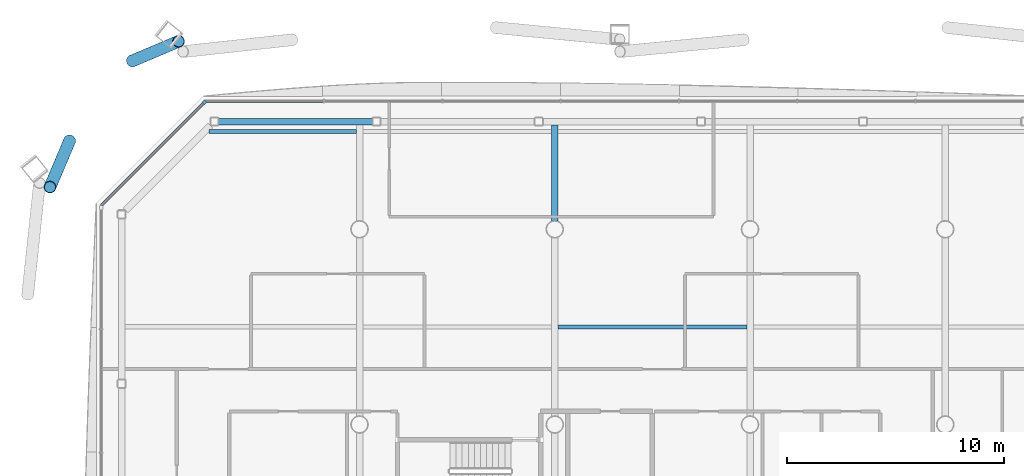
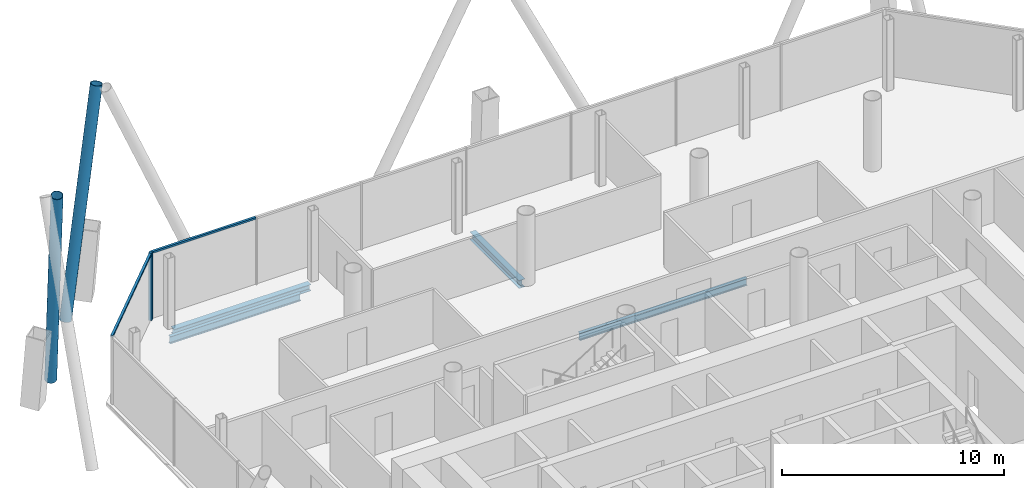
# One storey, part 10 of 22: 5 members, 4 beams, 2 elements without a shape of their own.
"""IFC4 building model written with IfcOpenShell, lengths in metres."""

from ifc_helpers import new_model, si_unit, direction, frame, origin, origin_2d, place, context, subcontext, project, spatial, rectangle, hollow_circle, i_section, extrude, material, material_profile, profile_set, type_object, element, aggregate, save


model = new_model("IFC4")

# Units and contexts
model_context = context("Model", 3, precision=1e-05, world=origin(), true_north=direction((0.0, 1.0)))
body_context = subcontext(model_context, "Body", "Model", "MODEL_VIEW")
ifc_project = project(units=[si_unit("LENGTHUNIT", "METRE"), si_unit("AREAUNIT", "SQUARE_METRE"), si_unit("VOLUMEUNIT", "CUBIC_METRE"), si_unit("PLANEANGLEUNIT", "RADIAN"), si_unit("MASSUNIT", "GRAM", prefix="KILO")], contexts=[model_context])

# Site, building, storey
site_placement = place(None, origin())
site = spatial("IfcSite", under=ifc_project, at=site_placement, CompositionType="ELEMENT")
building_placement = place(site_placement, origin())
building = spatial("IfcBuilding", under=site, at=building_placement, Name="Tskaro Facet Tower", CompositionType="ELEMENT")
storey_placement = place(building_placement, frame((0.0, 0.0, 97.199951171875)))
storey = spatial("IfcBuildingStorey", under=building, at=storey_placement, Name="L23", CompositionType="ELEMENT", Elevation=97.199951171875)

# Members
ifc_material_1 = material(Name="Steel S355J2H", Category="steel")
ifc_material_profile_1 = material_profile(ifc_material_1, hollow_circle(Radius=0.279541015625, WallThickness=0.02490234375, at=origin_2d()), Name="CHS 559x25")
ifc_profile_set_1 = profile_set([ifc_material_profile_1], Name="Steel S355J2H")
member_type_1 = type_object("IfcMemberType", Name="CHS 559x25 brace", PredefinedType="BRACE", material=ifc_profile_set_1)
for number, where, z_axis, x_axis, name in (
    (1, (-22.367431640625, 22.07275390625, 0.0), (-0.075619078607, -0.178546183977, 0.98102141421), (0.920818558847, -0.389991258471, 0.0), "CHS 559x25 XB09A/2"),
    (2, (-19.468017578125, 25.7626953125, 0.0), (0.178546183977, 0.075619078607, 0.98102141421), (-0.389991258471, 0.920818558847, 0.0), "CHS 559x25 XB09B/2"),
):
    element("IfcMember", number, at=place(storey_placement, frame(where, z_axis=z_axis, x_axis=x_axis)), inside=storey, type_object=member_type_1, Name=name, PredefinedType="BRACE", context=body_context, shape_type="SweptSolid", body=[
        extrude(hollow_circle(Radius=0.279541015625, WallThickness=0.02490234375, at=origin_2d()), origin(), (0.0, 0.0, 1.0), 11.92626953125),
    ])

# Curtain wall, member
ifc_material_2 = material(Name="Bronze anodised aluminium 6063-T6", Category="aluminium")
curtain_wall_type = type_object("IfcCurtainWallType", Name="Bronze office curtain wall (FW1)", PredefinedType="NOTDEFINED", material=ifc_material_2)
curtain_wall_1_placement = place(storey_placement, origin())
curtain_wall_1 = element("IfcCurtainWall", 3, at=curtain_wall_1_placement, inside=storey, type_object=curtain_wall_type, Name="FW1 north-west facet L23", PredefinedType="NOTDEFINED")
ifc_material_profile_2 = material_profile(ifc_material_2, rectangle(XDim=0.159912109375, YDim=0.159912109375, at=origin_2d()), Name="Corner post 160x160")
ifc_profile_set_2 = profile_set([ifc_material_profile_2], Name="Bronze anodised aluminium 6063-T6")
member_type_2 = type_object("IfcMemberType", Name="FW1 bronze corner post 160x160", PredefinedType="MULLION", material=ifc_profile_set_2)
member_1_placement = place(storey_placement, frame((-16.1396484375, 23.8583984375, 0.0), z_axis=(0.0, 0.0, 1.0), x_axis=(-0.707106781187, -0.707106781187, 0.0)))
member_1 = element("IfcMember", 4, at=member_1_placement, type_object=member_type_2, Name="FW1 north-west corner post", PredefinedType="MULLION", context=body_context, shape_type="SweptSolid", body=[
    extrude(rectangle(XDim=0.159912109375, YDim=0.159912109375, at=origin_2d()), origin(), (0.0, 0.0, 1.0), 3.699951171875),
])

curtain_wall_2_placement = place(storey_placement, origin())
curtain_wall_2 = element("IfcCurtainWall", 5, at=curtain_wall_2_placement, inside=storey, type_object=curtain_wall_type, Name="FW1 north facet L23", PredefinedType="NOTDEFINED")
ifc_material_profile_3 = material_profile(ifc_material_2, rectangle(XDim=0.1201171875, YDim=0.10009765625, at=origin_2d()), Name="Transom 120x100")
ifc_profile_set_3 = profile_set([ifc_material_profile_3], Name="Bronze anodised aluminium 6063-T6")
member_type_3 = type_object("IfcMemberType", Name="FW1 bronze transom 120x100", PredefinedType="USERDEFINED", material=ifc_profile_set_3)
member_2_placement = place(storey_placement, frame((-10.66064453125, 23.9150390625, 3.650146484375), z_axis=(-1.0, 0.0, 0.0), x_axis=(0.0, -1.0, 0.0)))
member_2 = element("IfcMember", 6, at=member_2_placement, type_object=member_type_3, Name="FW1 north transom 7.1", ObjectType="TRANSOM", PredefinedType="USERDEFINED", context=body_context, shape_type="SweptSolid", body=[
    extrude(rectangle(XDim=0.1201171875, YDim=0.10009765625, at=origin_2d()), origin(), (0.0, 0.0, 1.0), 5.42236328125),
])
aggregate(curtain_wall_2, [member_2])

# Member
member_3_placement = place(storey_placement, frame((-16.196044921875, 23.8017578125, 3.650146484375), z_axis=(-0.707125072767, -0.707088489133, 0.0), x_axis=(0.707088489133, -0.707125072767, 0.0)))
member_3 = element("IfcMember", 7, at=member_3_placement, type_object=member_type_3, Name="FW1 north-west transom 1.1", ObjectType="TRANSOM", PredefinedType="USERDEFINED", context=body_context, shape_type="SweptSolid", body=[
    extrude(rectangle(XDim=0.1201171875, YDim=0.10009765625, at=origin_2d()), origin(), (0.0, 0.0, 1.0), 6.673583984375),
])

aggregate(curtain_wall_1, [member_1, member_3])

# Beams
ifc_material_3 = material(Name="Steel S355J2", Category="steel")
ifc_material_profile_4 = material_profile(ifc_material_3, i_section(OverallWidth=0.300048828125, OverallDepth=0.360107421875, WebThickness=0.012451171875, FlangeThickness=0.0224609375, FilletRadius=0.027099609375, at=origin_2d()), Name="HE 360 B")
ifc_profile_set_4 = profile_set([ifc_material_profile_4], Name="Steel S355J2")
beam_type_1 = type_object("IfcBeamType", Name="HE 360 B ring beam", PredefinedType="BEAM", material=ifc_profile_set_4)
beam_1_placement = place(storey_placement, frame((-8.39404296875, 22.965087890625, -0.320068359375), z_axis=(-1.0, 0.0, 0.0), x_axis=(0.0, -1.0, 0.0)))
element("IfcBeam", 8, at=beam_1_placement, inside=storey, type_object=beam_type_1, Name="HE 360 B EB17-2", PredefinedType="BEAM", context=body_context, shape_type="SweptSolid", body=[
    extrude(i_section(OverallWidth=0.300048828125, OverallDepth=0.360107421875, WebThickness=0.012451171875, FlangeThickness=0.0224609375, FilletRadius=0.027099609375, at=origin_2d()), origin(), (0.0, 0.0, 1.0), 7.115966796875),
])
ifc_material_profile_5 = material_profile(ifc_material_3, i_section(OverallWidth=0.300048828125, OverallDepth=0.43994140625, WebThickness=0.011474609375, FlangeThickness=0.02099609375, FilletRadius=0.027099609375, at=origin_2d()), Name="HE 450 A")
ifc_profile_set_5 = profile_set([ifc_material_profile_5], Name="Steel S355J2")
beam_type_2 = type_object("IfcBeamType", Name="HE 450 A girder", PredefinedType="BEAM", material=ifc_profile_set_5)
beam_2_placement = place(storey_placement, frame((0.0, 18.37646484375, -0.35986328125), z_axis=(0.0, 1.0, 0.0), x_axis=(-1.0, 0.0, 0.0)))
element("IfcBeam", 9, at=beam_2_placement, inside=storey, type_object=beam_type_2, Name="HE 450 A GB4-5-2", PredefinedType="BEAM", context=body_context, shape_type="SweptSolid", body=[
    extrude(i_section(OverallWidth=0.300048828125, OverallDepth=0.43994140625, WebThickness=0.011474609375, FlangeThickness=0.02099609375, FilletRadius=0.027099609375, at=origin_2d()), origin(), (0.0, 0.0, 1.0), 4.4384765625),
])
ifc_material_profile_6 = material_profile(ifc_material_3, i_section(OverallWidth=0.179931640625, OverallDepth=0.39990234375, WebThickness=0.008544921875, FlangeThickness=0.013427734375, FilletRadius=0.02099609375, at=origin_2d()), Name="IPE 400")
ifc_profile_set_6 = profile_set([ifc_material_profile_6], Name="Steel S355J2")
beam_type_3 = type_object("IfcBeamType", Name="IPE 400 secondary beam", PredefinedType="BEAM", material=ifc_profile_set_6)
beam_3_placement = place(storey_placement, frame((0.14990234375, 13.5, -0.33984375), z_axis=(1.0, 0.0, 0.0), x_axis=(0.0, 1.0, 0.0)))
element("IfcBeam", 10, at=beam_3_placement, inside=storey, type_object=beam_type_3, Name="IPE 400 SB5a-3-2", PredefinedType="BEAM", context=body_context, shape_type="SweptSolid", body=[
    extrude(i_section(OverallWidth=0.179931640625, OverallDepth=0.39990234375, WebThickness=0.008544921875, FlangeThickness=0.013427734375, FilletRadius=0.02099609375, at=origin_2d()), origin(), (0.0, 0.0, 1.0), 8.7001953125),
])
beam_4_placement = place(storey_placement, frame((-15.943115234375, 22.5, -0.33984375), z_axis=(1.0, 0.0, 0.0), x_axis=(0.0, 1.0, 0.0)))
element("IfcBeam", 11, at=beam_4_placement, inside=storey, type_object=beam_type_3, Name="IPE 400 SB6a-1-2", PredefinedType="BEAM", context=body_context, shape_type="SweptSolid", body=[
    extrude(i_section(OverallWidth=0.179931640625, OverallDepth=0.39990234375, WebThickness=0.008544921875, FlangeThickness=0.013427734375, FilletRadius=0.02099609375, at=origin_2d()), origin(), (0.0, 0.0, 1.0), 6.793212890625),
])

save(model, "model.ifc")
